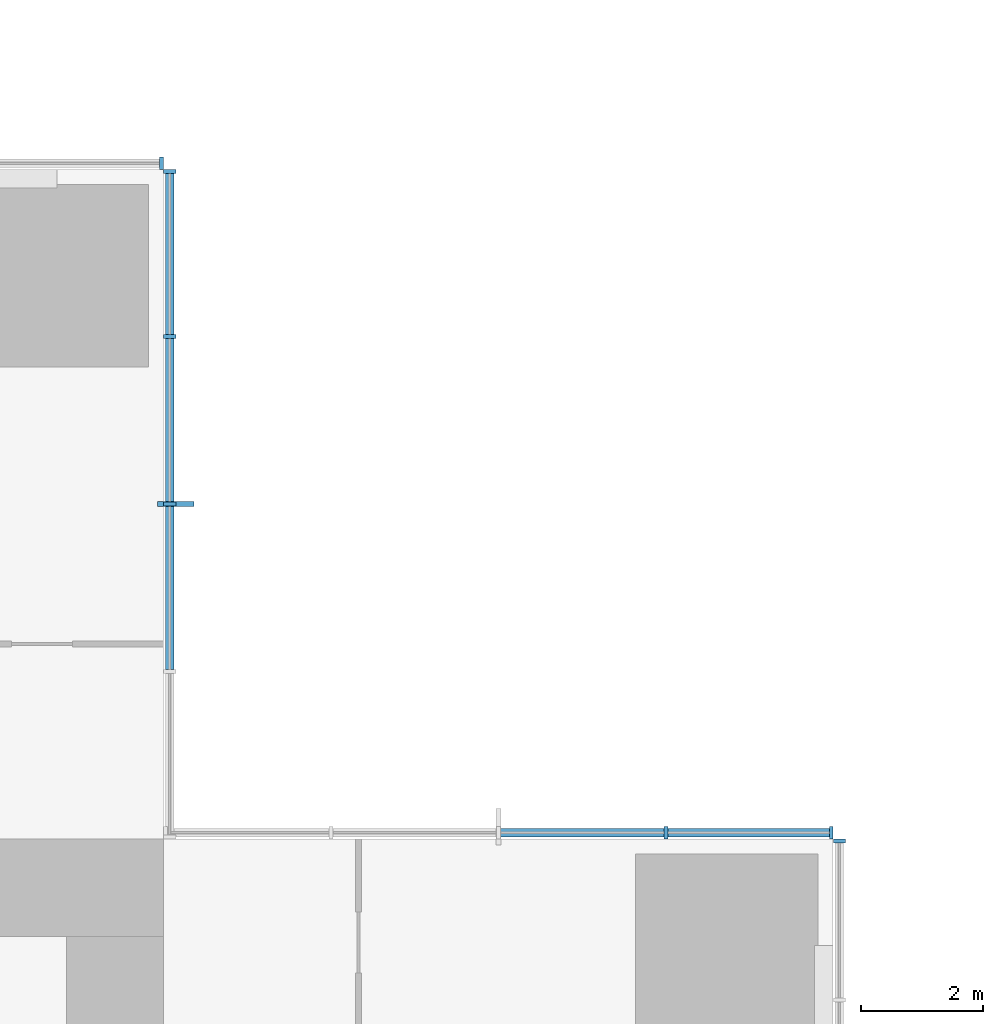
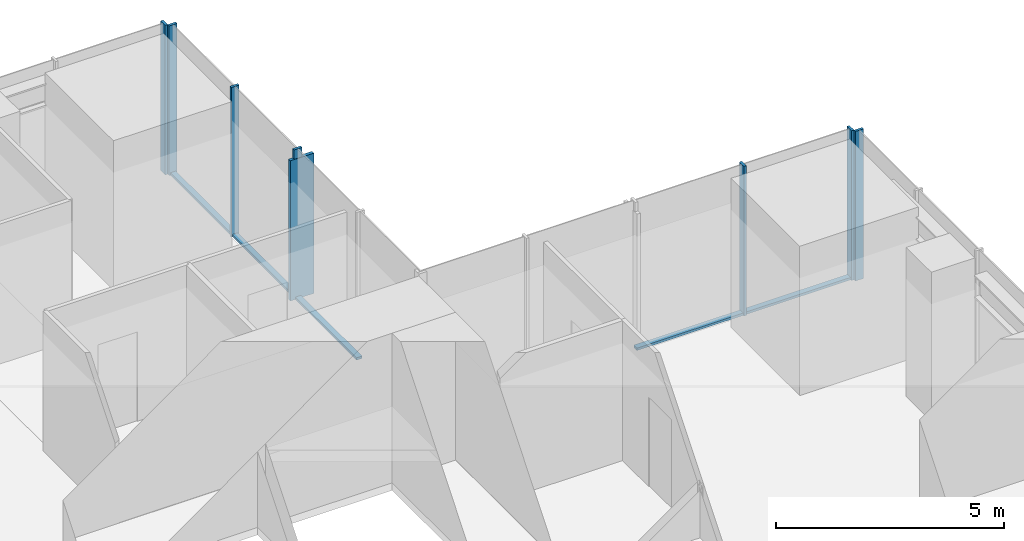
# One storey, part 6 of 13: 13 members, 4 elements without a shape of their own.
"""IFC4 building model written with IfcOpenShell, lengths in metres."""

from ifc_helpers import new_model, si_unit, direction, frame, origin, origin_2d, place, context, subcontext, project, spatial, rectangle, extrude, material, material_profile, profile_set, type_object, element, aggregate, save


model = new_model("IFC4")

# Units and contexts
model_context = context("Model", 3, precision=1e-05, world=origin(), true_north=direction((0.0, 1.0)))
body_context = subcontext(model_context, "Body", "Model", "MODEL_VIEW")
ifc_project = project(units=[si_unit("LENGTHUNIT", "METRE"), si_unit("AREAUNIT", "SQUARE_METRE"), si_unit("VOLUMEUNIT", "CUBIC_METRE"), si_unit("PLANEANGLEUNIT", "RADIAN"), si_unit("MASSUNIT", "GRAM", prefix="KILO")], contexts=[model_context])

# Site, building, storey
site_placement = place(None, origin())
site = spatial("IfcSite", under=ifc_project, at=site_placement, CompositionType="ELEMENT")
building_placement = place(site_placement, origin())
building = spatial("IfcBuilding", under=site, at=building_placement, Name="Svetlomir Tower", CompositionType="ELEMENT")
storey_placement = place(building_placement, frame((0.0, 0.0, 128.5)))
storey = spatial("IfcBuildingStorey", under=building, at=storey_placement, Name="L30", CompositionType="ELEMENT", Elevation=128.5)

# Curtain wall, member
ifc_material_1 = material(Name="Bronze anodised aluminium curtain wall", Category="aluminium")
curtain_wall_type = type_object("IfcCurtainWallType", Name="CURTAIN WALL CW1 TOWER OFFICE", PredefinedType="NOTDEFINED", material=ifc_material_1)
curtain_wall_1_placement = place(storey_placement, origin())
curtain_wall_1 = element("IfcCurtainWall", 1, at=curtain_wall_1_placement, inside=storey, type_object=curtain_wall_type, Name="Curtain wall CW1 L30", PredefinedType="NOTDEFINED")
ifc_material_2 = material(Name="Bronze anodised aluminium", Category="aluminium")
ifc_material_profile_1 = material_profile(ifc_material_2, rectangle(XDim=0.080078125, YDim=0.60009765625, at=origin_2d()), Name="FIN 80x600")
ifc_profile_set_1 = profile_set([ifc_material_profile_1], Name="Bronze anodised aluminium 6063-T6")
member_type_1 = type_object("IfcMemberType", Name="BRONZE FIN 80x600", PredefinedType="USERDEFINED", material=ifc_profile_set_1)
member_1_placement = place(storey_placement, frame((31.199951171875, 36.5, 0.0), z_axis=(0.0, 0.0, 1.0), x_axis=(0.0, 1.0, 0.0)))
member_1 = element("IfcMember", 2, at=member_1_placement, type_object=member_type_1, Name="Bronze fin L30", ObjectType="FIN", PredefinedType="USERDEFINED", context=body_context, shape_type="SweptSolid", body=[
    extrude(rectangle(XDim=0.080078125, YDim=0.60009765625, at=origin_2d()), origin(), (0.0, 0.0, 1.0), 3.75),
])

curtain_wall_2_placement = place(storey_placement, origin())
curtain_wall_2 = element("IfcCurtainWall", 3, at=curtain_wall_2_placement, inside=storey, type_object=curtain_wall_type, Name="Curtain wall CW1 L30", PredefinedType="NOTDEFINED")
ifc_material_3 = material(Name="Bronze anodised aluminium", Category="aluminium")
ifc_material_profile_2 = material_profile(ifc_material_3, rectangle(XDim=0.06494140625, YDim=0.199951171875, at=origin_2d()), Name="AL 65x200")
ifc_profile_set_2 = profile_set([ifc_material_profile_2], Name="Bronze anodised aluminium 6063-T6")
member_type_2 = type_object("IfcMemberType", Name="CW1 MULLION 65x200", PredefinedType="MULLION", material=ifc_profile_set_2)
member_2_placement = place(storey_placement, frame((42.10009765625, 30.967529296875, 0.0), z_axis=(0.0, 0.0, 1.0), x_axis=(0.0, 1.0, 0.0)))
member_2 = element("IfcMember", 4, at=member_2_placement, type_object=member_type_2, Name="CW1 mullion 5", PredefinedType="MULLION", context=body_context, shape_type="SweptSolid", body=[
    extrude(rectangle(XDim=0.06494140625, YDim=0.199951171875, at=origin_2d()), origin(), (0.0, 0.0, 1.0), 4.0),
])
aggregate(curtain_wall_2, [member_2])

# Curtain wall, members
curtain_wall_3_placement = place(storey_placement, origin())
curtain_wall_3 = element("IfcCurtainWall", 5, at=curtain_wall_3_placement, inside=storey, type_object=curtain_wall_type, Name="Curtain wall CW1 L30", PredefinedType="NOTDEFINED")
member_3_placement = place(storey_placement, frame((41.967529296875, 31.10009765625, 0.0), z_axis=(0.0, 0.0, 1.0), x_axis=(-1.0, 0.0, 0.0)))
member_3 = element("IfcMember", 6, at=member_3_placement, type_object=member_type_2, Name="CW1 mullion 1", PredefinedType="MULLION", context=body_context, shape_type="SweptSolid", body=[
    extrude(rectangle(XDim=0.06494140625, YDim=0.199951171875, at=origin_2d()), origin(), (0.0, 0.0, 1.0), 4.0),
])
member_4_placement = place(storey_placement, frame((39.25, 31.10009765625, 0.0), z_axis=(0.0, 0.0, 1.0), x_axis=(-1.0, 0.0, 0.0)))
member_4 = element("IfcMember", 7, at=member_4_placement, type_object=member_type_2, Name="CW1 mullion 2", PredefinedType="MULLION", context=body_context, shape_type="SweptSolid", body=[
    extrude(rectangle(XDim=0.06494140625, YDim=0.199951171875, at=origin_2d()), origin(), (0.0, 0.0, 1.0), 4.0),
])

# Member
member_5_placement = place(storey_placement, frame((31.10009765625, 36.5, 0.0), z_axis=(0.0, 0.0, 1.0), x_axis=(0.0, 1.0, 0.0)))
member_5 = element("IfcMember", 8, at=member_5_placement, type_object=member_type_2, Name="CW1 mullion 3", PredefinedType="MULLION", context=body_context, shape_type="SweptSolid", body=[
    extrude(rectangle(XDim=0.06494140625, YDim=0.199951171875, at=origin_2d()), origin(), (0.0, 0.0, 1.0), 4.0),
])

member_6_placement = place(storey_placement, frame((31.10009765625, 39.25, 0.0), z_axis=(0.0, 0.0, 1.0), x_axis=(0.0, 1.0, 0.0)))
member_6 = element("IfcMember", 9, at=member_6_placement, type_object=member_type_2, Name="CW1 mullion 4", PredefinedType="MULLION", context=body_context, shape_type="SweptSolid", body=[
    extrude(rectangle(XDim=0.06494140625, YDim=0.199951171875, at=origin_2d()), origin(), (0.0, 0.0, 1.0), 4.0),
])

member_7_placement = place(storey_placement, frame((31.10009765625, 41.967529296875, 0.0), z_axis=(0.0, 0.0, 1.0), x_axis=(0.0, 1.0, 0.0)))
member_7 = element("IfcMember", 10, at=member_7_placement, type_object=member_type_2, Name="CW1 mullion 5", PredefinedType="MULLION", context=body_context, shape_type="SweptSolid", body=[
    extrude(rectangle(XDim=0.06494140625, YDim=0.199951171875, at=origin_2d()), origin(), (0.0, 0.0, 1.0), 4.0),
])

# Curtain wall, member
curtain_wall_4_placement = place(storey_placement, origin())
curtain_wall_4 = element("IfcCurtainWall", 11, at=curtain_wall_4_placement, inside=storey, type_object=curtain_wall_type, Name="Curtain wall CW1 L30", PredefinedType="NOTDEFINED")
member_8_placement = place(storey_placement, frame((30.967529296875, 42.10009765625, 0.0), z_axis=(0.0, 0.0, 1.0), x_axis=(-1.0, 0.0, 0.0)))
member_8 = element("IfcMember", 12, at=member_8_placement, type_object=member_type_2, Name="CW1 mullion 1", PredefinedType="MULLION", context=body_context, shape_type="SweptSolid", body=[
    extrude(rectangle(XDim=0.06494140625, YDim=0.199951171875, at=origin_2d()), origin(), (0.0, 0.0, 1.0), 4.0),
])
aggregate(curtain_wall_4, [member_8])

# Member
ifc_material_4 = material(Name="Bronze anodised aluminium", Category="aluminium")
ifc_material_profile_3 = material_profile(ifc_material_4, rectangle(XDim=0.139892578125, YDim=0.06494140625, at=origin_2d()), Name="AL 140x65")
ifc_profile_set_3 = profile_set([ifc_material_profile_3], Name="Bronze anodised aluminium 6063-T6")
member_type_3 = type_object("IfcMemberType", Name="CW1 TRANSOM 65x140", PredefinedType="USERDEFINED", material=ifc_profile_set_3)
member_9_placement = place(storey_placement, frame((41.93505859375, 31.10009765625, 0.032470703125), z_axis=(-1.0, 0.0, 0.0), x_axis=(0.0, -1.0, 0.0)))
member_9 = element("IfcMember", 13, at=member_9_placement, type_object=member_type_3, Name="CW1 transom 1.1", ObjectType="TRANSOM", PredefinedType="USERDEFINED", context=body_context, shape_type="SweptSolid", body=[
    extrude(rectangle(XDim=0.139892578125, YDim=0.06494140625, at=origin_2d()), origin(), (0.0, 0.0, 1.0), 2.652587890625),
])

member_10_placement = place(storey_placement, frame((39.217529296875, 31.10009765625, 0.032470703125), z_axis=(-1.0, 0.0, 0.0), x_axis=(0.0, -1.0, 0.0)))
member_10 = element("IfcMember", 14, at=member_10_placement, type_object=member_type_3, Name="CW1 transom 2.1", ObjectType="TRANSOM", PredefinedType="USERDEFINED", context=body_context, shape_type="SweptSolid", body=[
    extrude(rectangle(XDim=0.139892578125, YDim=0.06494140625, at=origin_2d()), origin(), (0.0, 0.0, 1.0), 2.68505859375),
])

aggregate(curtain_wall_3, [member_3, member_4, member_9, member_10])

member_11_placement = place(storey_placement, frame((31.10009765625, 33.782470703125, 0.032470703125), z_axis=(0.0, 1.0, 0.0), x_axis=(-1.0, 0.0, 0.0)))
member_11 = element("IfcMember", 15, at=member_11_placement, type_object=member_type_3, Name="CW1 transom 2.1", ObjectType="TRANSOM", PredefinedType="USERDEFINED", context=body_context, shape_type="SweptSolid", body=[
    extrude(rectangle(XDim=0.139892578125, YDim=0.06494140625, at=origin_2d()), origin(), (0.0, 0.0, 1.0), 2.68505859375),
])

member_12_placement = place(storey_placement, frame((31.10009765625, 36.532470703125, 0.032470703125), z_axis=(0.0, 1.0, 0.0), x_axis=(-1.0, 0.0, 0.0)))
member_12 = element("IfcMember", 16, at=member_12_placement, type_object=member_type_3, Name="CW1 transom 3.1", ObjectType="TRANSOM", PredefinedType="USERDEFINED", context=body_context, shape_type="SweptSolid", body=[
    extrude(rectangle(XDim=0.139892578125, YDim=0.06494140625, at=origin_2d()), origin(), (0.0, 0.0, 1.0), 2.68505859375),
])

member_13_placement = place(storey_placement, frame((31.10009765625, 39.282470703125, 0.032470703125), z_axis=(0.0, 1.0, 0.0), x_axis=(-1.0, 0.0, 0.0)))
member_13 = element("IfcMember", 17, at=member_13_placement, type_object=member_type_3, Name="CW1 transom 4.1", ObjectType="TRANSOM", PredefinedType="USERDEFINED", context=body_context, shape_type="SweptSolid", body=[
    extrude(rectangle(XDim=0.139892578125, YDim=0.06494140625, at=origin_2d()), origin(), (0.0, 0.0, 1.0), 2.652587890625),
])

aggregate(curtain_wall_1, [member_5, member_6, member_7, member_11, member_12, member_13, member_1])

save(model, "model.ifc")
